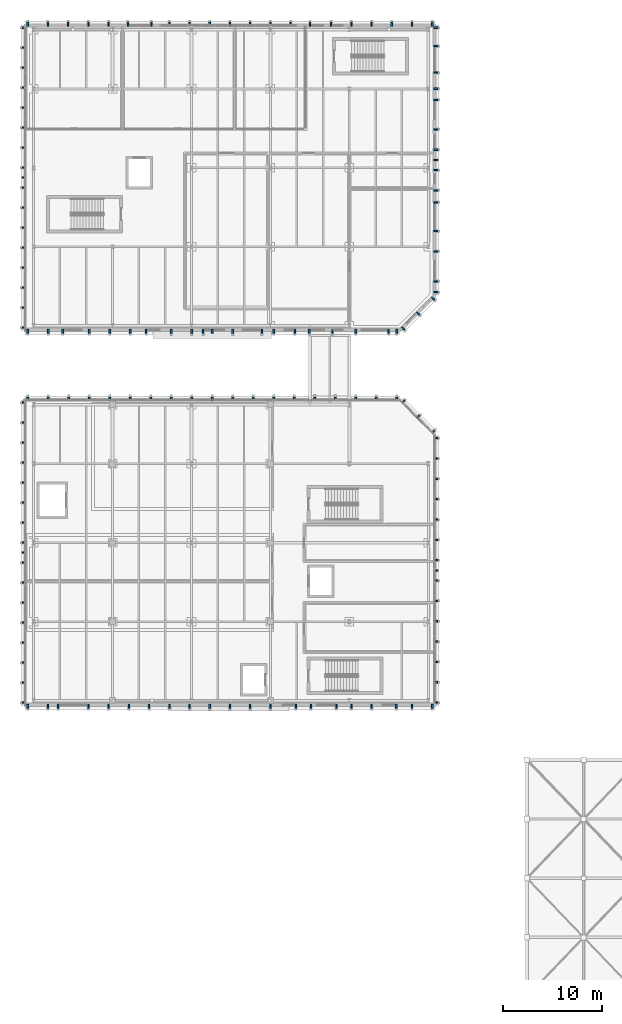
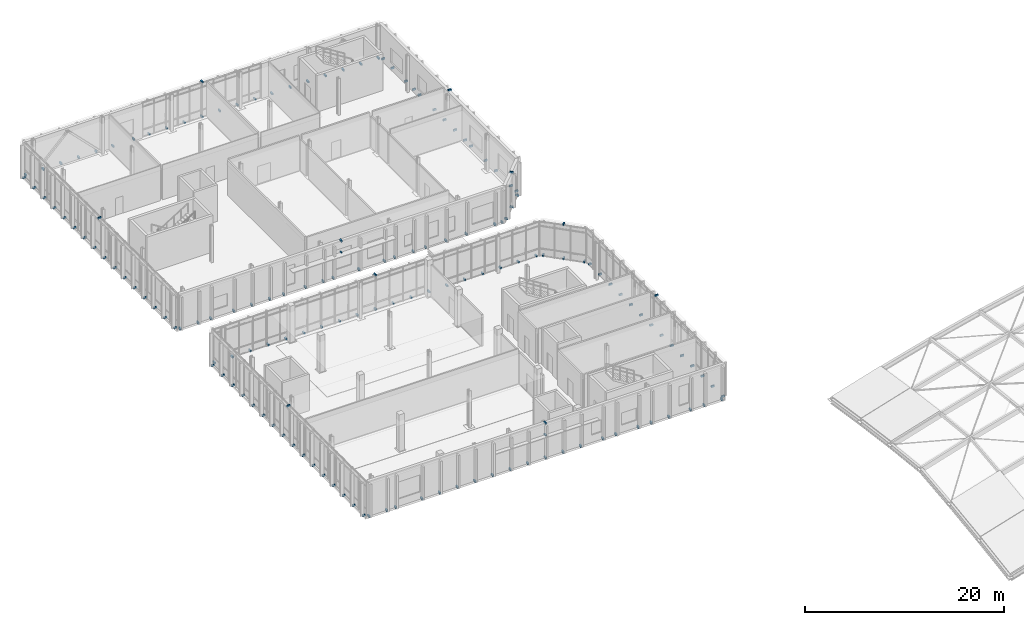
# One storey, part 49 of 62: 158 discrete accessories.
"""IFC4 building model written with IfcOpenShell, lengths in metres."""

from ifc_helpers import new_model, si_unit, direction, frame, origin, origin_2d, place, context, subcontext, project, spatial, rectangle, extrude, material, type_object, element, save


model = new_model("IFC4")

# Units and contexts
model_context = context("Model", 3, precision=1e-05, world=origin(), true_north=direction((0.0, 1.0)))
body_context = subcontext(model_context, "Body", "Model", "MODEL_VIEW")
ifc_project = project(units=[si_unit("LENGTHUNIT", "METRE"), si_unit("AREAUNIT", "SQUARE_METRE"), si_unit("VOLUMEUNIT", "CUBIC_METRE"), si_unit("PLANEANGLEUNIT", "RADIAN"), si_unit("MASSUNIT", "GRAM", prefix="KILO")], contexts=[model_context])

# Site, building, storey
site_placement = place(None, origin())
site = spatial("IfcSite", under=ifc_project, at=site_placement, CompositionType="ELEMENT")
building_placement = place(site_placement, origin())
building = spatial("IfcBuilding", under=site, at=building_placement, Name="Cymarion Research Institute", CompositionType="ELEMENT")
storey_placement = place(building_placement, frame((0.0, 0.0, 18.300048828125)))
storey = spatial("IfcBuildingStorey", under=building, at=storey_placement, Name="L04", CompositionType="ELEMENT", Elevation=18.300048828125)

# Discrete accessories
ifc_material = material(Name="Steel S355", Category="steel")
discrete_accessory_type = type_object("IfcDiscreteAccessoryType", Name="STAINLESS STEEL FACADE FIN BRACKET FBK1", PredefinedType="BRACKET", material=ifc_material)
discrete_accessory_1_placement = place(storey_placement, frame((26.5, 46.93994140625, 4.2001953125), z_axis=(0.0, 0.0, 1.0), x_axis=(0.0, -1.0, 0.0)))
element("IfcDiscreteAccessory", 1, at=discrete_accessory_1_placement, inside=storey, type_object=discrete_accessory_type, Name="L04 V4 spandrel brow anchor bracket #819", PredefinedType="BRACKET", context=body_context, shape_type="SweptSolid", body=[
    extrude(rectangle(XDim=0.3798828125, YDim=0.159912109375, at=origin_2d()), origin(), (0.0, 0.0, 1.0), 0.199951171875),
])
for number, where, z_axis, x_axis, name in (
    (2, (6.0, 46.93994140625, -0.08984375), (0.0, 0.0, 1.0), (0.0, -1.0, 0.0), "L04 V4 vertical rib anchor bracket #820"),
    (3, (8.050048828125, 46.93994140625, -0.08984375), (0.0, 0.0, 1.0), (0.0, -1.0, 0.0), "L04 V4 vertical rib anchor bracket #821"),
    (4, (9.090087890625, 46.93994140625, -0.08984375), (0.0, 0.0, 1.0), (0.0, -1.0, 0.0), "L04 V4 vertical rib anchor bracket #822"),
    (5, (12.14990234375, 46.93994140625, -0.08984375), (0.0, 0.0, 1.0), (0.0, -1.0, 0.0), "L04 V4 vertical rib anchor bracket #823"),
    (6, (14.199951171875, 46.93994140625, -0.08984375), (0.0, 0.0, 1.0), (0.0, -1.0, 0.0), "L04 V4 vertical rib anchor bracket #824"),
    (7, (16.25, 46.93994140625, -0.08984375), (0.0, 0.0, 1.0), (0.0, -1.0, 0.0), "L04 V4 vertical rib anchor bracket #825"),
    (8, (18.300048828125, 46.93994140625, -0.08984375), (0.0, 0.0, 1.0), (0.0, -1.0, 0.0), "L04 V4 vertical rib anchor bracket #826"),
    (9, (20.35009765625, 46.93994140625, -0.08984375), (0.0, 0.0, 1.0), (0.0, -1.0, 0.0), "L04 V4 vertical rib anchor bracket #827"),
    (10, (22.39990234375, 46.93994140625, -0.08984375), (0.0, 0.0, 1.0), (0.0, -1.0, 0.0), "L04 V4 vertical rib anchor bracket #828"),
    (11, (24.449951171875, 46.93994140625, -0.08984375), (0.0, 0.0, 1.0), (0.0, -1.0, 0.0), "L04 V4 vertical rib anchor bracket #829"),
    (12, (26.5, 46.93994140625, -0.08984375), (0.0, 0.0, 1.0), (0.0, -1.0, 0.0), "L04 V4 vertical rib anchor bracket #830"),
    (13, (28.550048828125, 46.93994140625, -0.08984375), (0.0, 0.0, 1.0), (0.0, -1.0, 0.0), "L04 V4 vertical rib anchor bracket #831"),
    (14, (30.60009765625, 46.93994140625, -0.08984375), (0.0, 0.0, 1.0), (0.0, -1.0, 0.0), "L04 V4 vertical rib anchor bracket #832"),
    (15, (33.179931640625, 46.93994140625, -0.08984375), (0.0, 0.0, 1.0), (0.0, -1.0, 0.0), "L04 V4 vertical rib anchor bracket #833"),
    (16, (34.699951171875, 46.93994140625, -0.08984375), (0.0, 0.0, 1.0), (0.0, -1.0, 0.0), "L04 V4 vertical rib anchor bracket #834"),
    (17, (37.280029296875, 46.93994140625, -0.08984375), (0.0, 0.0, 1.0), (0.0, -1.0, 0.0), "L04 V4 vertical rib anchor bracket #835"),
    (18, (38.800048828125, 46.93994140625, -0.08984375), (0.0, 0.0, 1.0), (0.0, -1.0, 0.0), "L04 V4 vertical rib anchor bracket #836"),
    (19, (40.85009765625, 46.93994140625, -0.08984375), (0.0, 0.0, 1.0), (0.0, -1.0, 0.0), "L04 V4 vertical rib anchor bracket #837"),
    (20, (43.35009765625, 46.93994140625, -0.08984375), (0.0, 0.0, 1.0), (0.0, -1.0, 0.0), "L04 V4 vertical rib anchor bracket #838"),
    (21, (44.949951171875, 46.93994140625, -0.08984375), (0.0, 0.0, 1.0), (0.0, -1.0, 0.0), "L04 V4 vertical rib anchor bracket #839"),
    (22, (47.0, 46.93994140625, -0.08984375), (0.0, 0.0, 1.0), (0.0, -1.0, 0.0), "L04 V4 vertical rib anchor bracket #840"),
):
    element("IfcDiscreteAccessory", number, at=place(storey_placement, frame(where, z_axis=z_axis, x_axis=x_axis)), inside=storey, type_object=discrete_accessory_type, Name=name, PredefinedType="BRACKET", context=body_context, shape_type="SweptSolid", body=[
        extrude(rectangle(XDim=0.3798828125, YDim=0.159912109375, at=origin_2d()), origin(), (0.0, 0.0, 1.0), 0.219970703125),
    ])
discrete_accessory_2_placement = place(storey_placement, frame((26.5, 46.949951171875, 2.72998046875), z_axis=(0.0, 0.0, 1.0), x_axis=(0.0, -1.0, 0.0)))
element("IfcDiscreteAccessory", 23, at=discrete_accessory_2_placement, inside=storey, type_object=discrete_accessory_type, Name="L04 V4 sunshade anchor bracket #9", PredefinedType="BRACKET", context=body_context, shape_type="SweptSolid", body=[
    extrude(rectangle(XDim=0.3798828125, YDim=0.159912109375, at=origin_2d()), origin(), (0.0, 0.0, 1.0), 0.179931640625),
])
discrete_accessory_3_placement = place(storey_placement, frame((47.360107421875, 60.699951171875, 4.2001953125), z_axis=(0.0, 0.0, 1.0), x_axis=(1.0, 0.0, 0.0)))
element("IfcDiscreteAccessory", 24, at=discrete_accessory_3_placement, inside=storey, type_object=discrete_accessory_type, Name="L04 V4 spandrel brow anchor bracket #841", PredefinedType="BRACKET", context=body_context, shape_type="SweptSolid", body=[
    extrude(rectangle(XDim=0.3798828125, YDim=0.159912109375, at=origin_2d()), origin(), (0.0, 0.0, 1.0), 0.199951171875),
])
for number, where, z_axis, x_axis, name in (
    (25, (47.360107421875, 47.300048828125, -0.08984375), (0.0, 0.0, 1.0), (1.0, 0.0, 0.0), "L04 V4 vertical rib anchor bracket #842"),
    (26, (47.360107421875, 49.361572265625, -0.08984375), (0.0, 0.0, 1.0), (1.0, 0.0, 0.0), "L04 V4 vertical rib anchor bracket #843"),
    (27, (47.360107421875, 51.423095703125, -0.08984375), (0.0, 0.0, 1.0), (1.0, 0.0, 0.0), "L04 V4 vertical rib anchor bracket #844"),
    (28, (47.360107421875, 53.484619140625, -0.08984375), (0.0, 0.0, 1.0), (1.0, 0.0, 0.0), "L04 V4 vertical rib anchor bracket #845"),
    (29, (47.360107421875, 55.546142578125, -0.08984375), (0.0, 0.0, 1.0), (1.0, 0.0, 0.0), "L04 V4 vertical rib anchor bracket #846"),
    (30, (47.360107421875, 57.607666015625, -0.08984375), (0.0, 0.0, 1.0), (1.0, 0.0, 0.0), "L04 V4 vertical rib anchor bracket #847"),
    (31, (47.360107421875, 59.669189453125, -0.08984375), (0.0, 0.0, 1.0), (1.0, 0.0, 0.0), "L04 V4 vertical rib anchor bracket #848"),
    (32, (47.360107421875, 61.730712890625, -0.08984375), (0.0, 0.0, 1.0), (1.0, 0.0, 0.0), "L04 V4 vertical rib anchor bracket #849"),
    (33, (47.360107421875, 63.792236328125, -0.08984375), (0.0, 0.0, 1.0), (1.0, 0.0, 0.0), "L04 V4 vertical rib anchor bracket #850"),
    (34, (47.360107421875, 65.853759765625, -0.08984375), (0.0, 0.0, 1.0), (1.0, 0.0, 0.0), "L04 V4 vertical rib anchor bracket #851"),
    (35, (47.360107421875, 67.915283203125, -0.08984375), (0.0, 0.0, 1.0), (1.0, 0.0, 0.0), "L04 V4 vertical rib anchor bracket #852"),
    (36, (47.360107421875, 69.976806640625, -0.08984375), (0.0, 0.0, 1.0), (1.0, 0.0, 0.0), "L04 V4 vertical rib anchor bracket #853"),
    (37, (47.360107421875, 72.03857421875, -0.08984375), (0.0, 0.0, 1.0), (1.0, 0.0, 0.0), "L04 V4 vertical rib anchor bracket #854"),
    (38, (47.360107421875, 74.10009765625, -0.08984375), (0.0, 0.0, 1.0), (1.0, 0.0, 0.0), "L04 V4 vertical rib anchor bracket #855"),
):
    element("IfcDiscreteAccessory", number, at=place(storey_placement, frame(where, z_axis=z_axis, x_axis=x_axis)), inside=storey, type_object=discrete_accessory_type, Name=name, PredefinedType="BRACKET", context=body_context, shape_type="SweptSolid", body=[
        extrude(rectangle(XDim=0.3798828125, YDim=0.159912109375, at=origin_2d()), origin(), (0.0, 0.0, 1.0), 0.219970703125),
    ])
discrete_accessory_4_placement = place(storey_placement, frame((45.57177734375, 76.271728515625, 4.16015625), z_axis=(0.0, 0.0, 1.0), x_axis=(0.707106781187, 0.707106781187, 0.0)))
element("IfcDiscreteAccessory", 39, at=discrete_accessory_4_placement, inside=storey, type_object=discrete_accessory_type, Name="L04 V4 spandrel brow anchor bracket #856", PredefinedType="BRACKET", context=body_context, shape_type="SweptSolid", body=[
    extrude(rectangle(XDim=0.3798828125, YDim=0.159912109375, at=origin_2d()), origin(), (0.0, 0.0, 1.0), 0.199951171875),
])
for number, where, z_axis, x_axis, name in (
    (40, (47.0888671875, 74.754638671875, -0.08984375), (0.0, 0.0, 1.0), (0.707106781187, 0.707106781187, 0.0), "L04 V4 vertical rib anchor bracket #857"),
    (41, (45.57177734375, 76.271728515625, -0.08984375), (0.0, 0.0, 1.0), (0.707106781187, 0.707106781187, 0.0), "L04 V4 vertical rib anchor bracket #858"),
    (42, (44.054443359375, 77.788818359375, -0.08984375), (0.0, 0.0, 1.0), (0.707106781187, 0.707106781187, 0.0), "L04 V4 vertical rib anchor bracket #859"),
):
    element("IfcDiscreteAccessory", number, at=place(storey_placement, frame(where, z_axis=z_axis, x_axis=x_axis)), inside=storey, type_object=discrete_accessory_type, Name=name, PredefinedType="BRACKET", context=body_context, shape_type="SweptSolid", body=[
        extrude(rectangle(XDim=0.3798828125, YDim=0.159912109375, at=origin_2d()), origin(), (0.0, 0.0, 1.0), 0.219970703125),
    ])
discrete_accessory_5_placement = place(storey_placement, frame((24.699951171875, 78.06005859375, 4.16015625), z_axis=(0.0, 0.0, 1.0), x_axis=(0.0, 1.0, 0.0)))
element("IfcDiscreteAccessory", 43, at=discrete_accessory_5_placement, inside=storey, type_object=discrete_accessory_type, Name="L04 V4 spandrel brow anchor bracket #860", PredefinedType="BRACKET", context=body_context, shape_type="SweptSolid", body=[
    extrude(rectangle(XDim=0.3798828125, YDim=0.159912109375, at=origin_2d()), origin(), (0.0, 0.0, 1.0), 0.199951171875),
])
for number, where, z_axis, x_axis, name in (
    (44, (43.39990234375, 78.06005859375, -0.08984375), (0.0, 0.0, 1.0), (0.0, 1.0, 0.0), "L04 V4 vertical rib anchor bracket #861"),
    (45, (41.322265625, 78.06005859375, -0.08984375), (0.0, 0.0, 1.0), (0.0, 1.0, 0.0), "L04 V4 vertical rib anchor bracket #862"),
    (46, (39.244384765625, 78.06005859375, -0.08984375), (0.0, 0.0, 1.0), (0.0, 1.0, 0.0), "L04 V4 vertical rib anchor bracket #863"),
    (47, (37.166748046875, 78.06005859375, -0.08984375), (0.0, 0.0, 1.0), (0.0, 1.0, 0.0), "L04 V4 vertical rib anchor bracket #864"),
    (48, (35.0888671875, 78.06005859375, -0.08984375), (0.0, 0.0, 1.0), (0.0, 1.0, 0.0), "L04 V4 vertical rib anchor bracket #865"),
    (49, (33.010986328125, 78.06005859375, -0.08984375), (0.0, 0.0, 1.0), (0.0, 1.0, 0.0), "L04 V4 vertical rib anchor bracket #866"),
    (50, (30.933349609375, 78.06005859375, -0.08984375), (0.0, 0.0, 1.0), (0.0, 1.0, 0.0), "L04 V4 vertical rib anchor bracket #867"),
    (51, (28.855712890625, 78.06005859375, -0.08984375), (0.0, 0.0, 1.0), (0.0, 1.0, 0.0), "L04 V4 vertical rib anchor bracket #868"),
    (52, (26.77783203125, 78.06005859375, -0.08984375), (0.0, 0.0, 1.0), (0.0, 1.0, 0.0), "L04 V4 vertical rib anchor bracket #869"),
    (53, (24.699951171875, 78.06005859375, -0.08984375), (0.0, 0.0, 1.0), (0.0, 1.0, 0.0), "L04 V4 vertical rib anchor bracket #870"),
    (54, (22.622314453125, 78.06005859375, -0.08984375), (0.0, 0.0, 1.0), (0.0, 1.0, 0.0), "L04 V4 vertical rib anchor bracket #871"),
    (55, (20.54443359375, 78.06005859375, -0.08984375), (0.0, 0.0, 1.0), (0.0, 1.0, 0.0), "L04 V4 vertical rib anchor bracket #872"),
    (56, (18.466796875, 78.06005859375, -0.08984375), (0.0, 0.0, 1.0), (0.0, 1.0, 0.0), "L04 V4 vertical rib anchor bracket #873"),
    (57, (16.388916015625, 78.06005859375, -0.08984375), (0.0, 0.0, 1.0), (0.0, 1.0, 0.0), "L04 V4 vertical rib anchor bracket #874"),
    (58, (14.31103515625, 78.06005859375, -0.08984375), (0.0, 0.0, 1.0), (0.0, 1.0, 0.0), "L04 V4 vertical rib anchor bracket #875"),
    (59, (12.2333984375, 78.06005859375, -0.08984375), (0.0, 0.0, 1.0), (0.0, 1.0, 0.0), "L04 V4 vertical rib anchor bracket #876"),
    (60, (10.155517578125, 78.06005859375, -0.08984375), (0.0, 0.0, 1.0), (0.0, 1.0, 0.0), "L04 V4 vertical rib anchor bracket #877"),
    (61, (8.077880859375, 78.06005859375, -0.08984375), (0.0, 0.0, 1.0), (0.0, 1.0, 0.0), "L04 V4 vertical rib anchor bracket #878"),
    (62, (6.0, 78.06005859375, -0.08984375), (0.0, 0.0, 1.0), (0.0, 1.0, 0.0), "L04 V4 vertical rib anchor bracket #879"),
):
    element("IfcDiscreteAccessory", number, at=place(storey_placement, frame(where, z_axis=z_axis, x_axis=x_axis)), inside=storey, type_object=discrete_accessory_type, Name=name, PredefinedType="BRACKET", context=body_context, shape_type="SweptSolid", body=[
        extrude(rectangle(XDim=0.3798828125, YDim=0.159912109375, at=origin_2d()), origin(), (0.0, 0.0, 1.0), 0.219970703125),
    ])
discrete_accessory_6_placement = place(storey_placement, frame((5.639892578125, 62.5, 4.16015625), z_axis=(0.0, 0.0, 1.0), x_axis=(-1.0, 0.0, 0.0)))
element("IfcDiscreteAccessory", 63, at=discrete_accessory_6_placement, inside=storey, type_object=discrete_accessory_type, Name="L04 V4 spandrel brow anchor bracket #880", PredefinedType="BRACKET", context=body_context, shape_type="SweptSolid", body=[
    extrude(rectangle(XDim=0.3798828125, YDim=0.159912109375, at=origin_2d()), origin(), (0.0, 0.0, 1.0), 0.199951171875),
])
for number, where, z_axis, x_axis, name in (
    (64, (5.639892578125, 77.699951171875, -0.08984375), (0.0, 0.0, 1.0), (-1.0, 0.0, 0.0), "L04 V4 vertical rib anchor bracket #881"),
    (65, (5.639892578125, 75.67333984375, -0.08984375), (0.0, 0.0, 1.0), (-1.0, 0.0, 0.0), "L04 V4 vertical rib anchor bracket #882"),
    (66, (5.639892578125, 73.646728515625, -0.08984375), (0.0, 0.0, 1.0), (-1.0, 0.0, 0.0), "L04 V4 vertical rib anchor bracket #883"),
    (67, (5.639892578125, 71.6201171875, -0.08984375), (0.0, 0.0, 1.0), (-1.0, 0.0, 0.0), "L04 V4 vertical rib anchor bracket #884"),
    (68, (5.639892578125, 69.59326171875, -0.08984375), (0.0, 0.0, 1.0), (-1.0, 0.0, 0.0), "L04 V4 vertical rib anchor bracket #885"),
    (69, (5.639892578125, 67.566650390625, -0.08984375), (0.0, 0.0, 1.0), (-1.0, 0.0, 0.0), "L04 V4 vertical rib anchor bracket #886"),
    (70, (5.639892578125, 65.5400390625, -0.08984375), (0.0, 0.0, 1.0), (-1.0, 0.0, 0.0), "L04 V4 vertical rib anchor bracket #887"),
    (71, (5.639892578125, 63.51318359375, -0.08984375), (0.0, 0.0, 1.0), (-1.0, 0.0, 0.0), "L04 V4 vertical rib anchor bracket #888"),
    (72, (5.639892578125, 61.48681640625, -0.08984375), (0.0, 0.0, 1.0), (-1.0, 0.0, 0.0), "L04 V4 vertical rib anchor bracket #889"),
    (73, (5.639892578125, 59.4599609375, -0.08984375), (0.0, 0.0, 1.0), (-1.0, 0.0, 0.0), "L04 V4 vertical rib anchor bracket #890"),
    (74, (5.639892578125, 57.433349609375, -0.08984375), (0.0, 0.0, 1.0), (-1.0, 0.0, 0.0), "L04 V4 vertical rib anchor bracket #891"),
    (75, (5.639892578125, 55.40673828125, -0.08984375), (0.0, 0.0, 1.0), (-1.0, 0.0, 0.0), "L04 V4 vertical rib anchor bracket #892"),
    (76, (5.639892578125, 53.3798828125, -0.08984375), (0.0, 0.0, 1.0), (-1.0, 0.0, 0.0), "L04 V4 vertical rib anchor bracket #893"),
    (77, (5.639892578125, 51.353271484375, -0.08984375), (0.0, 0.0, 1.0), (-1.0, 0.0, 0.0), "L04 V4 vertical rib anchor bracket #894"),
    (78, (5.639892578125, 49.32666015625, -0.08984375), (0.0, 0.0, 1.0), (-1.0, 0.0, 0.0), "L04 V4 vertical rib anchor bracket #895"),
    (79, (5.639892578125, 47.300048828125, -0.08984375), (0.0, 0.0, 1.0), (-1.0, 0.0, 0.0), "L04 V4 vertical rib anchor bracket #896"),
):
    element("IfcDiscreteAccessory", number, at=place(storey_placement, frame(where, z_axis=z_axis, x_axis=x_axis)), inside=storey, type_object=discrete_accessory_type, Name=name, PredefinedType="BRACKET", context=body_context, shape_type="SweptSolid", body=[
        extrude(rectangle(XDim=0.3798828125, YDim=0.159912109375, at=origin_2d()), origin(), (0.0, 0.0, 1.0), 0.219970703125),
    ])
discrete_accessory_7_placement = place(storey_placement, frame((24.699951171875, 84.93994140625, 4.16015625), z_axis=(0.0, 0.0, 1.0), x_axis=(0.0, -1.0, 0.0)))
element("IfcDiscreteAccessory", 80, at=discrete_accessory_7_placement, inside=storey, type_object=discrete_accessory_type, Name="L04 V5 spandrel brow anchor bracket #897", PredefinedType="BRACKET", context=body_context, shape_type="SweptSolid", body=[
    extrude(rectangle(XDim=0.3798828125, YDim=0.159912109375, at=origin_2d()), origin(), (0.0, 0.0, 1.0), 0.199951171875),
])
for number, where, z_axis, x_axis, name in (
    (81, (6.0, 84.93994140625, -0.08984375), (0.0, 0.0, 1.0), (0.0, -1.0, 0.0), "L04 V5 vertical rib anchor bracket #898"),
    (82, (8.077880859375, 84.93994140625, -0.08984375), (0.0, 0.0, 1.0), (0.0, -1.0, 0.0), "L04 V5 vertical rib anchor bracket #899"),
    (83, (9.550048828125, 84.93994140625, -0.08984375), (0.0, 0.0, 1.0), (0.0, -1.0, 0.0), "L04 V5 vertical rib anchor bracket #900"),
    (84, (12.2333984375, 84.93994140625, -0.08984375), (0.0, 0.0, 1.0), (0.0, -1.0, 0.0), "L04 V5 vertical rib anchor bracket #901"),
    (85, (14.31103515625, 84.93994140625, -0.08984375), (0.0, 0.0, 1.0), (0.0, -1.0, 0.0), "L04 V5 vertical rib anchor bracket #902"),
    (86, (16.388916015625, 84.93994140625, -0.08984375), (0.0, 0.0, 1.0), (0.0, -1.0, 0.0), "L04 V5 vertical rib anchor bracket #903"),
    (87, (18.010009765625, 84.93994140625, -0.08984375), (0.0, 0.0, 1.0), (0.0, -1.0, 0.0), "L04 V5 vertical rib anchor bracket #904"),
    (88, (20.54443359375, 84.93994140625, -0.08984375), (0.0, 0.0, 1.0), (0.0, -1.0, 0.0), "L04 V5 vertical rib anchor bracket #905"),
    (89, (22.622314453125, 84.93994140625, -0.08984375), (0.0, 0.0, 1.0), (0.0, -1.0, 0.0), "L04 V5 vertical rib anchor bracket #906"),
    (90, (23.77001953125, 84.93994140625, -0.08984375), (0.0, 0.0, 1.0), (0.0, -1.0, 0.0), "L04 V5 vertical rib anchor bracket #907"),
    (91, (26.77783203125, 84.93994140625, -0.08984375), (0.0, 0.0, 1.0), (0.0, -1.0, 0.0), "L04 V5 vertical rib anchor bracket #908"),
    (92, (29.72998046875, 84.93994140625, -0.08984375), (0.0, 0.0, 1.0), (0.0, -1.0, 0.0), "L04 V5 vertical rib anchor bracket #909"),
    (93, (30.933349609375, 84.93994140625, -0.08984375), (0.0, 0.0, 1.0), (0.0, -1.0, 0.0), "L04 V5 vertical rib anchor bracket #910"),
    (94, (33.080078125, 84.93994140625, -0.08984375), (0.0, 0.0, 1.0), (0.0, -1.0, 0.0), "L04 V5 vertical rib anchor bracket #911"),
    (95, (34.534912109375, 84.93994140625, -0.08984375), (0.0, 0.0, 1.0), (0.0, -1.0, 0.0), "L04 V5 vertical rib anchor bracket #912"),
    (96, (36.8798828125, 84.93994140625, -0.08984375), (0.0, 0.0, 1.0), (0.0, -1.0, 0.0), "L04 V5 vertical rib anchor bracket #913"),
    (97, (39.244384765625, 84.93994140625, -0.08984375), (0.0, 0.0, 1.0), (0.0, -1.0, 0.0), "L04 V5 vertical rib anchor bracket #914"),
    (98, (42.574951171875, 84.93994140625, -0.08984375), (0.0, 0.0, 1.0), (0.0, -1.0, 0.0), "L04 V5 vertical rib anchor bracket #915"),
    (99, (43.39990234375, 84.93994140625, -0.08984375), (0.0, 0.0, 1.0), (0.0, -1.0, 0.0), "L04 V5 vertical rib anchor bracket #916"),
):
    element("IfcDiscreteAccessory", number, at=place(storey_placement, frame(where, z_axis=z_axis, x_axis=x_axis)), inside=storey, type_object=discrete_accessory_type, Name=name, PredefinedType="BRACKET", context=body_context, shape_type="SweptSolid", body=[
        extrude(rectangle(XDim=0.3798828125, YDim=0.159912109375, at=origin_2d()), origin(), (0.0, 0.0, 1.0), 0.219970703125),
    ])
discrete_accessory_8_placement = place(storey_placement, frame((24.699951171875, 84.949951171875, 2.72998046875), z_axis=(0.0, 0.0, 1.0), x_axis=(0.0, -1.0, 0.0)))
element("IfcDiscreteAccessory", 100, at=discrete_accessory_8_placement, inside=storey, type_object=discrete_accessory_type, Name="L04 V5 sunshade anchor bracket #10", PredefinedType="BRACKET", context=body_context, shape_type="SweptSolid", body=[
    extrude(rectangle(XDim=0.3798828125, YDim=0.159912109375, at=origin_2d()), origin(), (0.0, 0.0, 1.0), 0.179931640625),
])
discrete_accessory_9_placement = place(storey_placement, frame((45.57177734375, 86.728271484375, 4.16015625), z_axis=(0.0, 0.0, 1.0), x_axis=(0.707106781187, -0.707106781187, 0.0)))
element("IfcDiscreteAccessory", 101, at=discrete_accessory_9_placement, inside=storey, type_object=discrete_accessory_type, Name="L04 V5 spandrel brow anchor bracket #917", PredefinedType="BRACKET", context=body_context, shape_type="SweptSolid", body=[
    extrude(rectangle(XDim=0.3798828125, YDim=0.159912109375, at=origin_2d()), origin(), (0.0, 0.0, 1.0), 0.199951171875),
])
for number, where, z_axis, x_axis, name in (
    (102, (44.0546875, 85.211181640625, -0.08984375), (0.0, 0.0, 1.0), (0.707106781187, -0.707106781187, 0.0), "L04 V5 vertical rib anchor bracket #918"),
    (103, (45.57177734375, 86.728271484375, -0.08984375), (0.0, 0.0, 1.0), (0.707106781187, -0.707106781187, 0.0), "L04 V5 vertical rib anchor bracket #919"),
    (104, (47.0888671875, 88.24560546875, -0.08984375), (0.0, 0.0, 1.0), (0.707106781187, -0.707106781187, 0.0), "L04 V5 vertical rib anchor bracket #920"),
):
    element("IfcDiscreteAccessory", number, at=place(storey_placement, frame(where, z_axis=z_axis, x_axis=x_axis)), inside=storey, type_object=discrete_accessory_type, Name=name, PredefinedType="BRACKET", context=body_context, shape_type="SweptSolid", body=[
        extrude(rectangle(XDim=0.3798828125, YDim=0.159912109375, at=origin_2d()), origin(), (0.0, 0.0, 1.0), 0.219970703125),
    ])
discrete_accessory_10_placement = place(storey_placement, frame((47.360107421875, 102.300048828125, 4.2001953125), z_axis=(0.0, 0.0, 1.0), x_axis=(1.0, 0.0, 0.0)))
element("IfcDiscreteAccessory", 105, at=discrete_accessory_10_placement, inside=storey, type_object=discrete_accessory_type, Name="L04 V5 spandrel brow anchor bracket #921", PredefinedType="BRACKET", context=body_context, shape_type="SweptSolid", body=[
    extrude(rectangle(XDim=0.3798828125, YDim=0.159912109375, at=origin_2d()), origin(), (0.0, 0.0, 1.0), 0.199951171875),
])
for number, where, z_axis, x_axis, name in (
    (106, (47.360107421875, 88.89990234375, -0.08984375), (0.0, 0.0, 1.0), (1.0, 0.0, 0.0), "L04 V5 vertical rib anchor bracket #922"),
    (107, (47.360107421875, 89.98681640625, -0.08984375), (0.0, 0.0, 1.0), (1.0, 0.0, 0.0), "L04 V5 vertical rib anchor bracket #923"),
    (108, (47.360107421875, 93.023193359375, -0.08984375), (0.0, 0.0, 1.0), (1.0, 0.0, 0.0), "L04 V5 vertical rib anchor bracket #924"),
    (109, (47.360107421875, 95.084716796875, -0.08984375), (0.0, 0.0, 1.0), (1.0, 0.0, 0.0), "L04 V5 vertical rib anchor bracket #925"),
    (110, (47.360107421875, 97.994873046875, -0.08984375), (0.0, 0.0, 1.0), (1.0, 0.0, 0.0), "L04 V5 vertical rib anchor bracket #926"),
    (111, (47.360107421875, 99.207763671875, -0.08984375), (0.0, 0.0, 1.0), (1.0, 0.0, 0.0), "L04 V5 vertical rib anchor bracket #927"),
    (112, (47.360107421875, 101.269287109375, -0.08984375), (0.0, 0.0, 1.0), (1.0, 0.0, 0.0), "L04 V5 vertical rib anchor bracket #928"),
    (113, (47.360107421875, 103.330810546875, -0.08984375), (0.0, 0.0, 1.0), (1.0, 0.0, 0.0), "L04 V5 vertical rib anchor bracket #929"),
    (114, (47.360107421875, 105.392333984375, -0.08984375), (0.0, 0.0, 1.0), (1.0, 0.0, 0.0), "L04 V5 vertical rib anchor bracket #930"),
    (115, (47.360107421875, 108.3798828125, -0.08984375), (0.0, 0.0, 1.0), (1.0, 0.0, 0.0), "L04 V5 vertical rib anchor bracket #931"),
    (116, (47.360107421875, 109.515380859375, -0.08984375), (0.0, 0.0, 1.0), (1.0, 0.0, 0.0), "L04 V5 vertical rib anchor bracket #932"),
    (117, (47.360107421875, 111.139892578125, -0.08984375), (0.0, 0.0, 1.0), (1.0, 0.0, 0.0), "L04 V5 vertical rib anchor bracket #933"),
    (118, (47.360107421875, 113.83984375, -0.08984375), (0.0, 0.0, 1.0), (1.0, 0.0, 0.0), "L04 V5 vertical rib anchor bracket #934"),
    (119, (47.360107421875, 115.699951171875, -0.08984375), (0.0, 0.0, 1.0), (1.0, 0.0, 0.0), "L04 V5 vertical rib anchor bracket #935"),
):
    element("IfcDiscreteAccessory", number, at=place(storey_placement, frame(where, z_axis=z_axis, x_axis=x_axis)), inside=storey, type_object=discrete_accessory_type, Name=name, PredefinedType="BRACKET", context=body_context, shape_type="SweptSolid", body=[
        extrude(rectangle(XDim=0.3798828125, YDim=0.159912109375, at=origin_2d()), origin(), (0.0, 0.0, 1.0), 0.219970703125),
    ])
discrete_accessory_11_placement = place(storey_placement, frame((26.5, 116.06005859375, 4.2001953125), z_axis=(0.0, 0.0, 1.0), x_axis=(0.0, 1.0, 0.0)))
element("IfcDiscreteAccessory", 120, at=discrete_accessory_11_placement, inside=storey, type_object=discrete_accessory_type, Name="L04 V5 spandrel brow anchor bracket #936", PredefinedType="BRACKET", context=body_context, shape_type="SweptSolid", body=[
    extrude(rectangle(XDim=0.3798828125, YDim=0.159912109375, at=origin_2d()), origin(), (0.0, 0.0, 1.0), 0.199951171875),
])
for number, where, z_axis, x_axis, name in (
    (121, (47.0, 116.06005859375, -0.08984375), (0.0, 0.0, 1.0), (0.0, 1.0, 0.0), "L04 V5 vertical rib anchor bracket #937"),
    (122, (44.949951171875, 116.06005859375, -0.08984375), (0.0, 0.0, 1.0), (0.0, 1.0, 0.0), "L04 V5 vertical rib anchor bracket #938"),
    (123, (42.89990234375, 116.06005859375, -0.08984375), (0.0, 0.0, 1.0), (0.0, 1.0, 0.0), "L04 V5 vertical rib anchor bracket #939"),
    (124, (40.85009765625, 116.06005859375, -0.08984375), (0.0, 0.0, 1.0), (0.0, 1.0, 0.0), "L04 V5 vertical rib anchor bracket #940"),
    (125, (38.800048828125, 116.06005859375, -0.08984375), (0.0, 0.0, 1.0), (0.0, 1.0, 0.0), "L04 V5 vertical rib anchor bracket #941"),
    (126, (36.75, 116.06005859375, -0.08984375), (0.0, 0.0, 1.0), (0.0, 1.0, 0.0), "L04 V5 vertical rib anchor bracket #942"),
    (127, (34.610107421875, 116.06005859375, -0.08984375), (0.0, 0.0, 1.0), (0.0, 1.0, 0.0), "L04 V5 vertical rib anchor bracket #943"),
    (128, (32.64990234375, 116.06005859375, -0.08984375), (0.0, 0.0, 1.0), (0.0, 1.0, 0.0), "L04 V5 vertical rib anchor bracket #944"),
    (129, (30.60009765625, 116.06005859375, -0.08984375), (0.0, 0.0, 1.0), (0.0, 1.0, 0.0), "L04 V5 vertical rib anchor bracket #945"),
    (130, (28.550048828125, 116.06005859375, -0.08984375), (0.0, 0.0, 1.0), (0.0, 1.0, 0.0), "L04 V5 vertical rib anchor bracket #946"),
    (131, (26.5, 116.06005859375, -0.08984375), (0.0, 0.0, 1.0), (0.0, 1.0, 0.0), "L04 V5 vertical rib anchor bracket #947"),
    (132, (24.449951171875, 116.06005859375, -0.08984375), (0.0, 0.0, 1.0), (0.0, 1.0, 0.0), "L04 V5 vertical rib anchor bracket #948"),
    (133, (22.39990234375, 116.06005859375, -0.08984375), (0.0, 0.0, 1.0), (0.0, 1.0, 0.0), "L04 V5 vertical rib anchor bracket #949"),
    (134, (20.35009765625, 116.06005859375, -0.08984375), (0.0, 0.0, 1.0), (0.0, 1.0, 0.0), "L04 V5 vertical rib anchor bracket #950"),
    (135, (18.54296875, 116.06005859375, -0.08984375), (0.0, 0.0, 1.0), (0.0, 1.0, 0.0), "L04 V5 vertical rib anchor bracket #951"),
    (136, (16.14306640625, 116.06005859375, -0.08984375), (0.0, 0.0, 1.0), (0.0, 1.0, 0.0), "L04 V5 vertical rib anchor bracket #952"),
    (137, (14.199951171875, 116.06005859375, -0.08984375), (0.0, 0.0, 1.0), (0.0, 1.0, 0.0), "L04 V5 vertical rib anchor bracket #953"),
    (138, (12.14990234375, 116.06005859375, -0.08984375), (0.0, 0.0, 1.0), (0.0, 1.0, 0.0), "L04 V5 vertical rib anchor bracket #954"),
    (139, (10.10009765625, 116.06005859375, -0.08984375), (0.0, 0.0, 1.0), (0.0, 1.0, 0.0), "L04 V5 vertical rib anchor bracket #955"),
    (140, (8.050048828125, 116.06005859375, -0.08984375), (0.0, 0.0, 1.0), (0.0, 1.0, 0.0), "L04 V5 vertical rib anchor bracket #956"),
    (141, (6.0, 116.06005859375, -0.08984375), (0.0, 0.0, 1.0), (0.0, 1.0, 0.0), "L04 V5 vertical rib anchor bracket #957"),
):
    element("IfcDiscreteAccessory", number, at=place(storey_placement, frame(where, z_axis=z_axis, x_axis=x_axis)), inside=storey, type_object=discrete_accessory_type, Name=name, PredefinedType="BRACKET", context=body_context, shape_type="SweptSolid", body=[
        extrude(rectangle(XDim=0.3798828125, YDim=0.159912109375, at=origin_2d()), origin(), (0.0, 0.0, 1.0), 0.219970703125),
    ])
discrete_accessory_12_placement = place(storey_placement, frame((5.639892578125, 100.5, 4.2001953125), z_axis=(0.0, 0.0, 1.0), x_axis=(-1.0, 0.0, 0.0)))
element("IfcDiscreteAccessory", 142, at=discrete_accessory_12_placement, inside=storey, type_object=discrete_accessory_type, Name="L04 V5 spandrel brow anchor bracket #958", PredefinedType="BRACKET", context=body_context, shape_type="SweptSolid", body=[
    extrude(rectangle(XDim=0.3798828125, YDim=0.159912109375, at=origin_2d()), origin(), (0.0, 0.0, 1.0), 0.199951171875),
])
for number, where, z_axis, x_axis, name in (
    (143, (5.639892578125, 115.699951171875, -0.08984375), (0.0, 0.0, 1.0), (-1.0, 0.0, 0.0), "L04 V5 vertical rib anchor bracket #959"),
    (144, (5.639892578125, 113.67333984375, -0.08984375), (0.0, 0.0, 1.0), (-1.0, 0.0, 0.0), "L04 V5 vertical rib anchor bracket #960"),
    (145, (5.639892578125, 111.646728515625, -0.08984375), (0.0, 0.0, 1.0), (-1.0, 0.0, 0.0), "L04 V5 vertical rib anchor bracket #961"),
    (146, (5.639892578125, 109.6201171875, -0.08984375), (0.0, 0.0, 1.0), (-1.0, 0.0, 0.0), "L04 V5 vertical rib anchor bracket #962"),
    (147, (5.639892578125, 107.59326171875, -0.08984375), (0.0, 0.0, 1.0), (-1.0, 0.0, 0.0), "L04 V5 vertical rib anchor bracket #963"),
    (148, (5.639892578125, 105.566650390625, -0.08984375), (0.0, 0.0, 1.0), (-1.0, 0.0, 0.0), "L04 V5 vertical rib anchor bracket #964"),
    (149, (5.639892578125, 103.5400390625, -0.08984375), (0.0, 0.0, 1.0), (-1.0, 0.0, 0.0), "L04 V5 vertical rib anchor bracket #965"),
    (150, (5.639892578125, 101.51318359375, -0.08984375), (0.0, 0.0, 1.0), (-1.0, 0.0, 0.0), "L04 V5 vertical rib anchor bracket #966"),
    (151, (5.639892578125, 99.48681640625, -0.08984375), (0.0, 0.0, 1.0), (-1.0, 0.0, 0.0), "L04 V5 vertical rib anchor bracket #967"),
    (152, (5.639892578125, 97.4599609375, -0.08984375), (0.0, 0.0, 1.0), (-1.0, 0.0, 0.0), "L04 V5 vertical rib anchor bracket #968"),
    (153, (5.639892578125, 95.433349609375, -0.08984375), (0.0, 0.0, 1.0), (-1.0, 0.0, 0.0), "L04 V5 vertical rib anchor bracket #969"),
    (154, (5.639892578125, 93.40673828125, -0.08984375), (0.0, 0.0, 1.0), (-1.0, 0.0, 0.0), "L04 V5 vertical rib anchor bracket #970"),
    (155, (5.639892578125, 91.3798828125, -0.08984375), (0.0, 0.0, 1.0), (-1.0, 0.0, 0.0), "L04 V5 vertical rib anchor bracket #971"),
    (156, (5.639892578125, 89.353271484375, -0.08984375), (0.0, 0.0, 1.0), (-1.0, 0.0, 0.0), "L04 V5 vertical rib anchor bracket #972"),
    (157, (5.639892578125, 87.32666015625, -0.08984375), (0.0, 0.0, 1.0), (-1.0, 0.0, 0.0), "L04 V5 vertical rib anchor bracket #973"),
    (158, (5.639892578125, 85.300048828125, -0.08984375), (0.0, 0.0, 1.0), (-1.0, 0.0, 0.0), "L04 V5 vertical rib anchor bracket #974"),
):
    element("IfcDiscreteAccessory", number, at=place(storey_placement, frame(where, z_axis=z_axis, x_axis=x_axis)), inside=storey, type_object=discrete_accessory_type, Name=name, PredefinedType="BRACKET", context=body_context, shape_type="SweptSolid", body=[
        extrude(rectangle(XDim=0.3798828125, YDim=0.159912109375, at=origin_2d()), origin(), (0.0, 0.0, 1.0), 0.219970703125),
    ])

save(model, "model.ifc")
